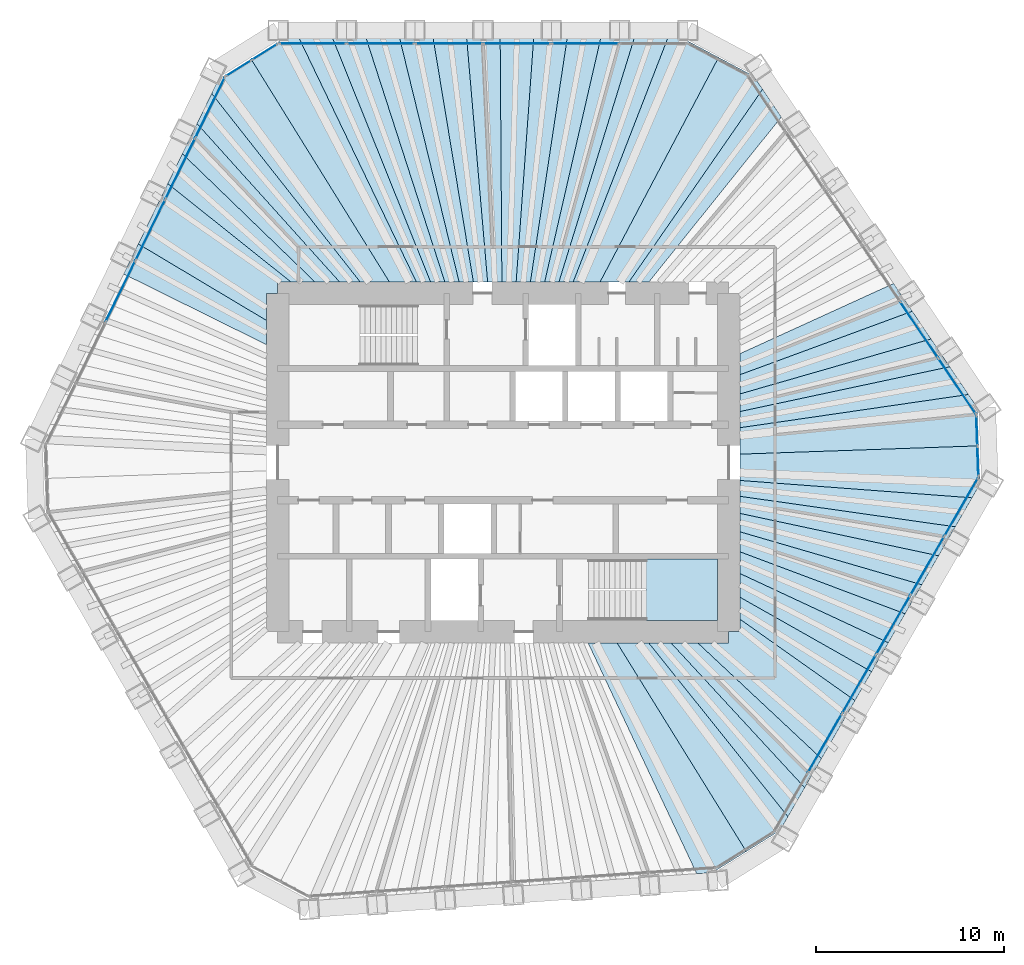
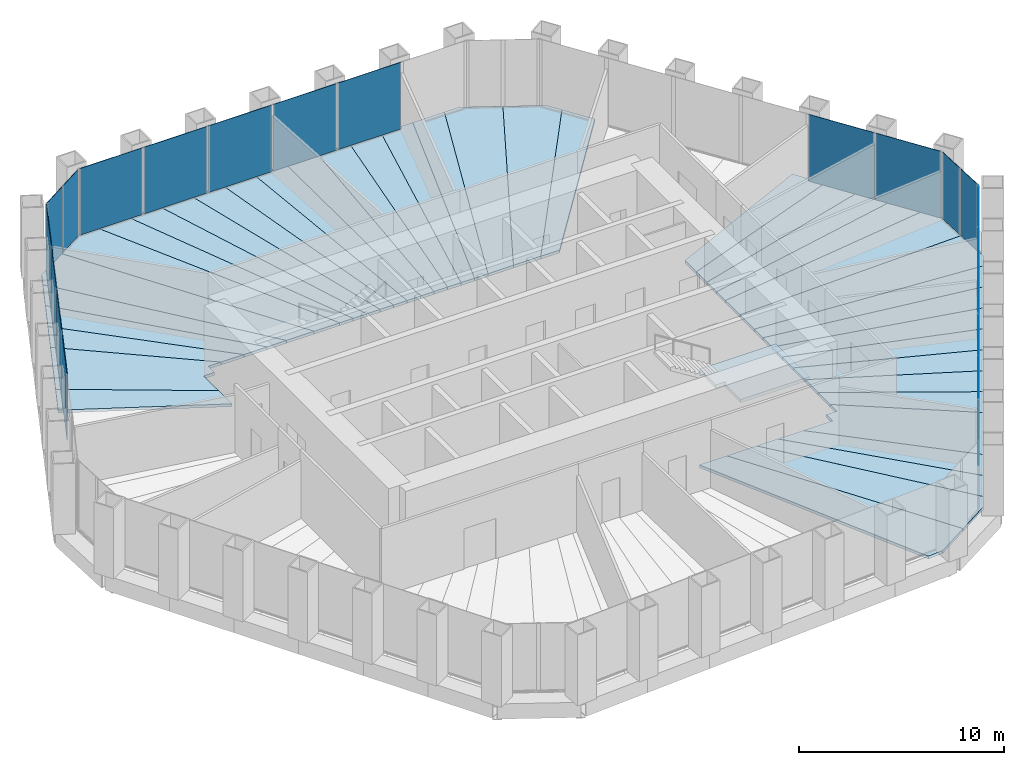
# One storey, part 9 of 13: 40 slabs, 20 plates, 7 elements without a shape of their own.
"""IFC4 building model written with IfcOpenShell, lengths in metres."""

import ifcopenshell
import ifcopenshell.guid

model = None  # the IFC model being written
_history = None  # IfcOwnerHistory: only IFC2X3 demands one
_inside = {}  # id of a spatial element -> (the spatial element, [elements in it])
_under = {}  # id of a project, library or spatial element -> (it, [spatial elements below it])
_declared = {}  # id of a project -> (the project, [libraries it declares])
_typed = {}  # id of a type object -> (the type object, [elements of that type])
_made_of = {}  # id of a material, layer set ... -> (it, [elements and type objects made of it])


def new_model(schema):
    """Start an empty IFC model of exactly this schema.

    Asked for "IFC4X3", IfcOpenShell would pick the latest addendum, in which some entities
    have other attributes; the version numbers below select the first issue.
    IFC2X3 requires an IfcOwnerHistory on every rooted entity: one is made here for all.
    """
    global model, _history
    if schema == "IFC4X3":
        model = ifcopenshell.file(schema_version=(4, 3, 0, 0))
    else:
        model = ifcopenshell.file(schema=schema)
    _inside.clear()
    _under.clear()
    _declared.clear()
    _typed.clear()
    _made_of.clear()
    _history = None
    if model.schema == "IFC2X3":
        org = make("IfcOrganization", Name="unknown")
        user = make(
            "IfcPersonAndOrganization",
            ThePerson=make("IfcPerson", FamilyName="unknown"),
            TheOrganization=org,
        )
        app = make(
            "IfcApplication",
            ApplicationDeveloper=org,
            Version="unknown",
            ApplicationFullName="unknown",
            ApplicationIdentifier="unknown",
        )
        _history = make(
            "IfcOwnerHistory",
            OwningUser=user,
            OwningApplication=app,
            ChangeAction="ADDED",
            CreationDate=0,
        )
    return model


def make(cls, **values):
    """One entity of the class cls with the attributes given. An attribute that is None is left unset."""
    return model.create_entity(
        cls, **{name: value for name, value in values.items() if value is not None}
    )


def rooted(cls, **values):
    """An entity with a GlobalId (a new one), such as an element, a storey or a relation."""
    return make(cls, GlobalId=ifcopenshell.guid.new(), OwnerHistory=_history, **values)


def si_unit(unit_type, name, prefix=None):
    """IfcSIUnit, for example si_unit("LENGTHUNIT", "METRE", prefix="MILLI")."""
    return make("IfcSIUnit", UnitType=unit_type, Prefix=prefix, Name=name)


def assignment(units):
    """IfcUnitAssignment: the units of a project."""
    return None if units is None else make("IfcUnitAssignment", Units=units)


def point(xyz):
    """IfcCartesianPoint."""
    return None if xyz is None else make("IfcCartesianPoint", Coordinates=xyz)


def direction(xyz):
    """IfcDirection."""
    return None if xyz is None else make("IfcDirection", DirectionRatios=xyz)


def frame(location, z_axis=None, x_axis=None):
    """IfcAxis2Placement3D, a coordinate frame: its origin and axes. An axis left out is left unset."""
    return make(
        "IfcAxis2Placement3D",
        Location=point(location),
        Axis=direction(z_axis),
        RefDirection=direction(x_axis),
    )


def frame_2d(location, x_axis=None):
    """IfcAxis2Placement2D, a coordinate frame in the plane: its origin and x axis."""
    return make(
        "IfcAxis2Placement2D", Location=point(location), RefDirection=direction(x_axis)
    )


def origin():
    """The frame at (0, 0, 0) with its axes left unset."""
    return frame((0.0, 0.0, 0.0))


def origin_2d():
    """The frame at (0, 0) in the plane with its x axis left unset."""
    return frame_2d((0.0, 0.0))


def place(relative_to, where):
    """IfcLocalPlacement: puts the frame where relative to a parent placement (None: the world)."""
    return make(
        "IfcLocalPlacement", PlacementRelTo=relative_to, RelativePlacement=where
    )


def context(
    kind, dimensions, precision=None, world=None, true_north=None, identifier=None
):
    """IfcGeometricRepresentationContext, for example the 3D "Model" context."""
    return make(
        "IfcGeometricRepresentationContext",
        ContextIdentifier=identifier,
        ContextType=kind,
        CoordinateSpaceDimension=dimensions,
        Precision=precision,
        WorldCoordinateSystem=world,
        TrueNorth=true_north,
    )


def subcontext(parent, identifier, kind, view, scale=None):
    """IfcGeometricRepresentationSubContext, for example "Body" below "Model"."""
    return make(
        "IfcGeometricRepresentationSubContext",
        ContextIdentifier=identifier,
        ContextType=kind,
        ParentContext=parent,
        TargetScale=scale,
        TargetView=view,
    )


def project(units=None, contexts=None):
    """IfcProject with its units and contexts."""
    return rooted(
        "IfcProject",
        Name="project",
        RepresentationContexts=contexts,
        UnitsInContext=assignment(units),
    )


def spatial(cls, under=None, at=None, **own):
    """A site, building, storey or space (cls), placed at a placement, below another one or the project."""
    s = rooted(cls, ObjectPlacement=at, **own)
    if under is not None:
        _under.setdefault(under.id(), (under, []))[1].append(s)
    return s


def polyline(points):
    """IfcPolyline through the points."""
    return make("IfcPolyline", Points=[point(p) for p in points])


def profile(cls, at=None, kind="AREA", **sizes):
    """A parametric profile (cls). Its sizes go by their IFC names, for example OverallWidth=200.0."""
    return make(cls, ProfileType=kind, Position=at, **sizes)


def rectangle(**sizes):
    """IfcRectangleProfileDef."""
    return profile("IfcRectangleProfileDef", **sizes)


def outline(outer, holes=None, kind="AREA"):
    """IfcArbitraryClosedProfileDef: a profile drawn as a closed curve; with holes, ...WithVoids."""
    if holes is None:
        return make("IfcArbitraryClosedProfileDef", ProfileType=kind, OuterCurve=outer)
    return make(
        "IfcArbitraryProfileDefWithVoids",
        ProfileType=kind,
        OuterCurve=outer,
        InnerCurves=holes,
    )


def extrude(swept, where, along, depth):
    """IfcExtrudedAreaSolid: the profile swept, set in the frame where, extruded along a direction by depth."""
    return make(
        "IfcExtrudedAreaSolid",
        SweptArea=swept,
        Position=where,
        ExtrudedDirection=direction(along),
        Depth=depth,
    )


def shape(context_of_items, identifier, shape_type, items):
    """IfcShapeRepresentation: the items that make up one representation, for example the "Body"."""
    return make(
        "IfcShapeRepresentation",
        ContextOfItems=context_of_items,
        RepresentationIdentifier=identifier,
        RepresentationType=shape_type,
        Items=items,
    )


def material(Name=None, Category=None):
    """IfcMaterial."""
    return make("IfcMaterial", Name=Name, Category=Category)


def layer(
    of_material, thickness, ventilated=None, Name=None, Category=None, Priority=None
):
    """IfcMaterialLayer: one layer of a wall or slab, of a material (None: an air gap)."""
    return make(
        "IfcMaterialLayer",
        Material=of_material,
        LayerThickness=thickness,
        IsVentilated=ventilated,
        Name=Name,
        Category=Category,
        Priority=Priority,
    )


def layer_set(layers, Name=None):
    """IfcMaterialLayerSet."""
    return make("IfcMaterialLayerSet", MaterialLayers=layers, LayerSetName=Name)


def made_of(thing, what):
    """Note that an element or type object is made of a material, layer set ...; save() writes the relation."""
    if what is not None:
        _made_of.setdefault(what.id(), (what, []))[1].append(thing)
    return thing


def type_object(cls, material=None, **own):
    """A type object (cls), such as IfcWallType, which elements share."""
    return made_of(rooted(cls, **own), material)


def element(
    cls,
    number,
    at=None,
    inside=None,
    cuts=None,
    type_object=None,
    material=None,
    context=None,
    identifier="Body",
    shape_type=None,
    held_by="IfcProductDefinitionShape",
    body=None,
    shapes=None,
    **own,
):
    """One element of the class cls, such as IfcWall. Its Tag is "e" and its number.

    at: its placement. inside: the storey or other place that contains it. cuts: it is an
    opening in that element (IfcRelVoidsElement). A single representation is given by context,
    identifier, shape_type and body (its items); several are given by shapes. held_by: the class
    of the entity that holds the representations. save() writes the other relations.
    """
    e = rooted(cls, Tag="e%d" % number, ObjectPlacement=at, **own)
    if body is not None:
        shapes = [shape(context, identifier, shape_type, body)]
    if shapes is not None:
        e.Representation = make(held_by, Representations=shapes)
    if inside is not None:
        _inside.setdefault(inside.id(), (inside, []))[1].append(e)
    if cuts is not None:
        rooted(
            "IfcRelVoidsElement", RelatingBuildingElement=cuts, RelatedOpeningElement=e
        )
    if type_object is not None:
        _typed.setdefault(type_object.id(), (type_object, []))[1].append(e)
    return made_of(e, material)


def aggregate(whole, parts):
    """IfcRelAggregates: a whole, such as a stair, and the parts it consists of."""
    return rooted("IfcRelAggregates", RelatingObject=whole, RelatedObjects=parts)


def save(model, path):
    """Write the relations noted so far, then the file.

    IfcRelAggregates (storeys below a building ...), IfcRelContainedInSpatialStructure (elements
    in a storey), IfcRelDefinesByType, IfcRelAssociatesMaterial and IfcRelDeclares: one each for
    every whole, place, type object, material and project.
    """
    for whole, parts in _under.values():
        aggregate(whole, parts)
    for where, things in _inside.values():
        rooted(
            "IfcRelContainedInSpatialStructure",
            RelatedElements=things,
            RelatingStructure=where,
        )
    for kind, things in _typed.values():
        rooted("IfcRelDefinesByType", RelatedObjects=things, RelatingType=kind)
    for what, things in _made_of.values():
        rooted("IfcRelAssociatesMaterial", RelatedObjects=things, RelatingMaterial=what)
    for by, libraries in _declared.values():
        rooted("IfcRelDeclares", RelatingContext=by, RelatedDefinitions=libraries)
    model.write(path)


model = new_model("IFC4")

# Units and contexts
model_context = context("Model", 3, precision=1e-05, world=origin(), true_north=direction((0.0, 1.0)))
body_context = subcontext(model_context, "Body", "Model", "MODEL_VIEW")
ifc_project = project(units=[si_unit("LENGTHUNIT", "METRE"), si_unit("AREAUNIT", "SQUARE_METRE"), si_unit("VOLUMEUNIT", "CUBIC_METRE"), si_unit("PLANEANGLEUNIT", "RADIAN"), si_unit("MASSUNIT", "GRAM", prefix="KILO")], contexts=[model_context])

# Site, building, storey
site_placement = place(None, origin())
site = spatial("IfcSite", under=ifc_project, at=site_placement, CompositionType="ELEMENT")
building_placement = place(site_placement, origin())
building = spatial("IfcBuilding", under=site, at=building_placement, Name="Qingtian Harvest Tower", CompositionType="ELEMENT")
storey_placement = place(building_placement, frame((0.0, 0.0, 205.60009765625)))
storey = spatial("IfcBuildingStorey", under=building, at=storey_placement, Name="L44", CompositionType="ELEMENT", Elevation=205.60009765625)

# Slabs
ifc_material_1 = material(Name="Concrete fc' 35 MPa", Category="concrete")
ifc_layer_1 = layer(ifc_material_1, 0.169921875)
ifc_layer_set_1 = layer_set([ifc_layer_1], Name="Composite floor slab FS17 170")
slab_type_1 = type_object("IfcSlabType", Name="Composite floor slab FS17 170", PredefinedType="FLOOR", material=ifc_layer_set_1)
slab_1_placement = place(storey_placement, frame((0.0, 0.0, -0.170166015625)))
element("IfcSlab", 1, at=slab_1_placement, inside=storey, type_object=slab_type_1, Name="Floor slab L44 panel D26", PredefinedType="FLOOR", context=body_context, shape_type="SweptSolid", body=[
    extrude(outline(polyline([(4.5185546875, -9.60009765625), (6.059326171875, -9.60009765625), (12.94140625, -20.70703125), (11.142578125, -21.830810546875), (10.30029296875, -21.889892578125), (4.5185546875, -9.60009765625)])), origin(), (0.0, 0.0, 1.0), 0.170166015625),
])
slab_2_placement = place(storey_placement, frame((0.0, 0.0, -0.170166015625)))
element("IfcSlab", 2, at=slab_2_placement, inside=storey, type_object=slab_type_1, Name="Floor slab L44 panel D27", PredefinedType="FLOOR", context=body_context, shape_type="SweptSolid", body=[
    extrude(outline(polyline([(6.059326171875, -9.60009765625), (7.740966796875, -9.60009765625), (15.159423828125, -18.853271484375), (14.73681640625, -19.5849609375), (12.94140625, -20.70703125), (6.059326171875, -9.60009765625)])), origin(), (0.0, 0.0, 1.0), 0.170166015625),
])
slab_3_placement = place(storey_placement, frame((0.0, 0.0, -0.170166015625)))
element("IfcSlab", 3, at=slab_3_placement, inside=storey, type_object=slab_type_1, Name="Floor slab L44 panel D28", PredefinedType="FLOOR", context=body_context, shape_type="SweptSolid", body=[
    extrude(outline(polyline([(8.929443359375, -9.60009765625), (16.05029296875, -17.31005859375), (15.159423828125, -18.853271484375), (7.740966796875, -9.60009765625), (8.929443359375, -9.60009765625)])), origin(), (0.0, 0.0, 1.0), 0.170166015625),
])
slab_4_placement = place(storey_placement, frame((0.0, 0.0, -0.170166015625)))
element("IfcSlab", 4, at=slab_4_placement, inside=storey, type_object=slab_type_1, Name="Floor slab L44 panel D29", PredefinedType="FLOOR", context=body_context, shape_type="SweptSolid", body=[
    extrude(outline(polyline([(10.35205078125, -9.60009765625), (16.94140625, -15.766845703125), (16.05029296875, -17.31005859375), (8.929443359375, -9.60009765625), (10.35205078125, -9.60009765625)])), origin(), (0.0, 0.0, 1.0), 0.170166015625),
])
slab_5_placement = place(storey_placement, frame((0.0, 0.0, -0.170166015625)))
element("IfcSlab", 5, at=slab_5_placement, inside=storey, type_object=slab_type_1, Name="Floor slab L44 panel D31", PredefinedType="FLOOR", context=body_context, shape_type="SweptSolid", body=[
    extrude(outline(polyline([(12.60009765625, -8.33984375), (18.726806640625, -12.674072265625), (16.94140625, -15.766845703125), (10.35205078125, -9.60009765625), (12.0, -9.60009765625), (12.0, -9.0), (12.60009765625, -9.0), (12.60009765625, -8.33984375)])), origin(), (0.0, 0.0, 1.0), 0.170166015625),
])
slab_6_placement = place(storey_placement, frame((0.0, 0.0, -0.170166015625)))
element("IfcSlab", 6, at=slab_6_placement, inside=storey, type_object=slab_type_1, Name="Floor slab L44 panel D32", PredefinedType="FLOOR", context=body_context, shape_type="SweptSolid", body=[
    extrude(outline(polyline([(12.60009765625, -7.171142578125), (19.61279296875, -11.1396484375), (18.726806640625, -12.674072265625), (12.60009765625, -8.33984375), (12.60009765625, -7.171142578125)])), origin(), (0.0, 0.0, 1.0), 0.170166015625),
])
slab_7_placement = place(storey_placement, frame((0.0, 0.0, -0.170166015625)))
element("IfcSlab", 7, at=slab_7_placement, inside=storey, type_object=slab_type_1, Name="Floor slab L44 panel D33", PredefinedType="FLOOR", context=body_context, shape_type="SweptSolid", body=[
    extrude(outline(polyline([(12.60009765625, -5.91015625), (20.503662109375, -9.5966796875), (19.61279296875, -11.1396484375), (12.60009765625, -7.171142578125), (12.60009765625, -5.91015625)])), origin(), (0.0, 0.0, 1.0), 0.170166015625),
])
slab_8_placement = place(storey_placement, frame((0.0, 0.0, -0.170166015625)))
element("IfcSlab", 8, at=slab_8_placement, inside=storey, type_object=slab_type_1, Name="Floor slab L44 panel D34", PredefinedType="FLOOR", context=body_context, shape_type="SweptSolid", body=[
    extrude(outline(polyline([(12.60009765625, -4.75439453125), (21.39453125, -8.0537109375), (20.503662109375, -9.5966796875), (12.60009765625, -5.91015625), (12.60009765625, -4.75439453125)])), origin(), (0.0, 0.0, 1.0), 0.170166015625),
])
slab_9_placement = place(storey_placement, frame((0.0, 0.0, -0.170166015625)))
element("IfcSlab", 9, at=slab_9_placement, inside=storey, type_object=slab_type_1, Name="Floor slab L44 panel D35", PredefinedType="FLOOR", context=body_context, shape_type="SweptSolid", body=[
    extrude(outline(polyline([(12.60009765625, -3.691162109375), (22.285400390625, -6.5107421875), (21.39453125, -8.0537109375), (12.60009765625, -4.75439453125), (12.60009765625, -3.691162109375)])), origin(), (0.0, 0.0, 1.0), 0.170166015625),
])
slab_10_placement = place(storey_placement, frame((0.0, 0.0, -0.170166015625)))
element("IfcSlab", 10, at=slab_10_placement, inside=storey, type_object=slab_type_1, Name="Floor slab L44 panel D36", PredefinedType="FLOOR", context=body_context, shape_type="SweptSolid", body=[
    extrude(outline(polyline([(12.60009765625, -2.709716796875), (23.17626953125, -4.9677734375), (22.285400390625, -6.5107421875), (12.60009765625, -3.691162109375), (12.60009765625, -2.709716796875)])), origin(), (0.0, 0.0, 1.0), 0.170166015625),
])
slab_11_placement = place(storey_placement, frame((0.0, 0.0, -0.170166015625)))
element("IfcSlab", 11, at=slab_11_placement, inside=storey, type_object=slab_type_1, Name="Floor slab L44 panel D37", PredefinedType="FLOOR", context=body_context, shape_type="SweptSolid", body=[
    extrude(outline(polyline([(12.60009765625, -1.801025390625), (24.06689453125, -3.4248046875), (23.17626953125, -4.9677734375), (12.60009765625, -2.709716796875), (12.60009765625, -1.801025390625)])), origin(), (0.0, 0.0, 1.0), 0.170166015625),
])
slab_12_placement = place(storey_placement, frame((0.0, 0.0, -0.170166015625)))
element("IfcSlab", 12, at=slab_12_placement, inside=storey, type_object=slab_type_1, Name="Floor slab L44 panel D38", PredefinedType="FLOOR", context=body_context, shape_type="SweptSolid", body=[
    extrude(outline(polyline([(12.60009765625, -0.95703125), (24.957763671875, -1.8818359375), (24.06689453125, -3.4248046875), (12.60009765625, -1.801025390625), (12.60009765625, -0.95703125)])), origin(), (0.0, 0.0, 1.0), 0.170166015625),
])
slab_13_placement = place(storey_placement, frame((0.0, 0.0, -0.170166015625)))
element("IfcSlab", 13, at=slab_13_placement, inside=storey, type_object=slab_type_1, Name="Floor slab L44 panel D39", PredefinedType="FLOOR", context=body_context, shape_type="SweptSolid", body=[
    extrude(outline(polyline([(12.60009765625, -0.95703125), (12.60009765625, 0.442626953125), (25.30908203125, 0.884033203125), (25.380126953125, -1.150146484375), (24.957763671875, -1.8818359375), (12.60009765625, -0.95703125)])), origin(), (0.0, 0.0, 1.0), 0.170166015625),
])
slab_14_placement = place(storey_placement, frame((0.0, 0.0, -0.170166015625)))
element("IfcSlab", 14, at=slab_14_placement, inside=storey, type_object=slab_type_1, Name="Floor slab L44 panel D40", PredefinedType="FLOOR", context=body_context, shape_type="SweptSolid", body=[
    extrude(outline(polyline([(12.60009765625, 0.442626953125), (12.60009765625, 1.848876953125), (24.765625, 3.6181640625), (25.238037109375, 2.91796875), (25.30908203125, 0.884033203125), (12.60009765625, 0.442626953125)])), origin(), (0.0, 0.0, 1.0), 0.170166015625),
])
slab_15_placement = place(storey_placement, frame((0.0, 0.0, -0.170166015625)))
element("IfcSlab", 15, at=slab_15_placement, inside=storey, type_object=slab_type_1, Name="Floor slab L44 panel D41", PredefinedType="FLOOR", context=body_context, shape_type="SweptSolid", body=[
    extrude(outline(polyline([(12.60009765625, 2.710205078125), (23.76953125, 5.09521484375), (24.765625, 3.6181640625), (12.60009765625, 1.848876953125), (12.60009765625, 2.710205078125)])), origin(), (0.0, 0.0, 1.0), 0.170166015625),
])
slab_16_placement = place(storey_placement, frame((0.0, 0.0, -0.170166015625)))
element("IfcSlab", 16, at=slab_16_placement, inside=storey, type_object=slab_type_1, Name="Floor slab L44 panel D42", PredefinedType="FLOOR", context=body_context, shape_type="SweptSolid", body=[
    extrude(outline(polyline([(12.60009765625, 3.646728515625), (22.773193359375, 6.572265625), (23.76953125, 5.09521484375), (12.60009765625, 2.710205078125), (12.60009765625, 3.646728515625)])), origin(), (0.0, 0.0, 1.0), 0.170166015625),
])
slab_17_placement = place(storey_placement, frame((0.0, 0.0, -0.170166015625)))
element("IfcSlab", 17, at=slab_17_placement, inside=storey, type_object=slab_type_1, Name="Floor slab L44 panel D43", PredefinedType="FLOOR", context=body_context, shape_type="SweptSolid", body=[
    extrude(outline(polyline([(12.60009765625, 4.669189453125), (21.77685546875, 8.049560546875), (22.773193359375, 6.572265625), (12.60009765625, 3.646728515625), (12.60009765625, 4.669189453125)])), origin(), (0.0, 0.0, 1.0), 0.170166015625),
])
slab_18_placement = place(storey_placement, frame((0.0, 0.0, -0.170166015625)))
element("IfcSlab", 18, at=slab_18_placement, inside=storey, type_object=slab_type_1, Name="Floor slab L44 panel D44", PredefinedType="FLOOR", context=body_context, shape_type="SweptSolid", body=[
    extrude(outline(polyline([(12.60009765625, 5.7900390625), (20.780517578125, 9.526611328125), (21.77685546875, 8.049560546875), (12.60009765625, 4.669189453125), (12.60009765625, 5.7900390625)])), origin(), (0.0, 0.0, 1.0), 0.170166015625),
])
slab_19_placement = place(storey_placement, frame((0.0, 0.0, -0.170166015625)))
element("IfcSlab", 19, at=slab_19_placement, inside=storey, type_object=slab_type_1, Name="Floor slab L44 panel D51", PredefinedType="FLOOR", context=body_context, shape_type="SweptSolid", body=[
    extrude(outline(polyline([(6.6904296875, 9.60009765625), (13.807373046875, 19.86474609375), (14.8037109375, 18.3876953125), (7.751220703125, 9.60009765625), (6.6904296875, 9.60009765625)])), origin(), (0.0, 0.0, 1.0), 0.170166015625),
])
slab_20_placement = place(storey_placement, frame((0.0, 0.0, -0.170166015625)))
element("IfcSlab", 20, at=slab_20_placement, inside=storey, type_object=slab_type_1, Name="Floor slab L44 panel D52", PredefinedType="FLOOR", context=body_context, shape_type="SweptSolid", body=[
    extrude(outline(polyline([(6.6904296875, 9.60009765625), (5.15185546875, 9.60009765625), (11.465087890625, 21.559326171875), (13.334716796875, 20.5654296875), (13.807373046875, 19.86474609375), (6.6904296875, 9.60009765625)])), origin(), (0.0, 0.0, 1.0), 0.170166015625),
])
slab_21_placement = place(storey_placement, frame((0.0, 0.0, -0.170166015625)))
element("IfcSlab", 21, at=slab_21_placement, inside=storey, type_object=slab_type_1, Name="Floor slab L44 panel D53", PredefinedType="FLOOR", context=body_context, shape_type="SweptSolid", body=[
    extrude(outline(polyline([(3.7236328125, 9.60009765625), (8.748291015625, 22.554931640625), (9.5927734375, 22.554931640625), (11.465087890625, 21.559326171875), (5.15185546875, 9.60009765625), (3.7236328125, 9.60009765625)])), origin(), (0.0, 0.0, 1.0), 0.170166015625),
])
slab_22_placement = place(storey_placement, frame((0.0, 0.0, -0.170166015625)))
element("IfcSlab", 22, at=slab_22_placement, inside=storey, type_object=slab_type_1, Name="Floor slab L44 panel D54", PredefinedType="FLOOR", context=body_context, shape_type="SweptSolid", body=[
    extrude(outline(polyline([(2.96533203125, 9.60009765625), (6.966796875, 22.554931640625), (8.748291015625, 22.554931640625), (3.7236328125, 9.60009765625), (2.96533203125, 9.60009765625)])), origin(), (0.0, 0.0, 1.0), 0.170166015625),
])
slab_23_placement = place(storey_placement, frame((0.0, 0.0, -0.170166015625)))
element("IfcSlab", 23, at=slab_23_placement, inside=storey, type_object=slab_type_1, Name="Floor slab L44 panel D55", PredefinedType="FLOOR", context=body_context, shape_type="SweptSolid", body=[
    extrude(outline(polyline([(2.206787109375, 9.60009765625), (5.18505859375, 22.554931640625), (6.966796875, 22.554931640625), (2.96533203125, 9.60009765625), (2.206787109375, 9.60009765625)])), origin(), (0.0, 0.0, 1.0), 0.170166015625),
])
slab_24_placement = place(storey_placement, frame((0.0, 0.0, -0.170166015625)))
element("IfcSlab", 24, at=slab_24_placement, inside=storey, type_object=slab_type_1, Name="Floor slab L44 panel D56", PredefinedType="FLOOR", context=body_context, shape_type="SweptSolid", body=[
    extrude(outline(polyline([(1.448486328125, 9.60009765625), (3.403564453125, 22.554931640625), (5.18505859375, 22.554931640625), (2.206787109375, 9.60009765625), (1.448486328125, 9.60009765625)])), origin(), (0.0, 0.0, 1.0), 0.170166015625),
])
slab_25_placement = place(storey_placement, frame((0.0, 0.0, -0.170166015625)))
element("IfcSlab", 25, at=slab_25_placement, inside=storey, type_object=slab_type_1, Name="Floor slab L44 panel D57", PredefinedType="FLOOR", context=body_context, shape_type="SweptSolid", body=[
    extrude(outline(polyline([(0.690185546875, 9.60009765625), (1.621826171875, 22.554931640625), (3.403564453125, 22.554931640625), (1.448486328125, 9.60009765625), (0.690185546875, 9.60009765625)])), origin(), (0.0, 0.0, 1.0), 0.170166015625),
])
slab_26_placement = place(storey_placement, frame((0.0, 0.0, -0.170166015625)))
element("IfcSlab", 26, at=slab_26_placement, inside=storey, type_object=slab_type_1, Name="Floor slab L44 panel D58", PredefinedType="FLOOR", context=body_context, shape_type="SweptSolid", body=[
    extrude(outline(polyline([(-0.068115234375, 9.60009765625), (-0.159912109375, 22.554931640625), (1.621826171875, 22.554931640625), (0.690185546875, 9.60009765625), (-0.068115234375, 9.60009765625)])), origin(), (0.0, 0.0, 1.0), 0.170166015625),
])
slab_27_placement = place(storey_placement, frame((0.0, 0.0, -0.170166015625)))
element("IfcSlab", 27, at=slab_27_placement, inside=storey, type_object=slab_type_1, Name="Floor slab L44 panel D59", PredefinedType="FLOOR", context=body_context, shape_type="SweptSolid", body=[
    extrude(outline(polyline([(-0.826416015625, 9.60009765625), (-1.94140625, 22.554931640625), (-0.159912109375, 22.554931640625), (-0.068115234375, 9.60009765625), (-0.826416015625, 9.60009765625)])), origin(), (0.0, 0.0, 1.0), 0.170166015625),
])
slab_28_placement = place(storey_placement, frame((0.0, 0.0, -0.170166015625)))
element("IfcSlab", 28, at=slab_28_placement, inside=storey, type_object=slab_type_1, Name="Floor slab L44 panel D60", PredefinedType="FLOOR", context=body_context, shape_type="SweptSolid", body=[
    extrude(outline(polyline([(-1.584716796875, 9.60009765625), (-3.72314453125, 22.554931640625), (-1.94140625, 22.554931640625), (-0.826416015625, 9.60009765625), (-1.584716796875, 9.60009765625)])), origin(), (0.0, 0.0, 1.0), 0.170166015625),
])
slab_29_placement = place(storey_placement, frame((0.0, 0.0, -0.170166015625)))
element("IfcSlab", 29, at=slab_29_placement, inside=storey, type_object=slab_type_1, Name="Floor slab L44 panel D61", PredefinedType="FLOOR", context=body_context, shape_type="SweptSolid", body=[
    extrude(outline(polyline([(-2.343017578125, 9.60009765625), (-5.504638671875, 22.554931640625), (-3.72314453125, 22.554931640625), (-1.584716796875, 9.60009765625), (-2.343017578125, 9.60009765625)])), origin(), (0.0, 0.0, 1.0), 0.170166015625),
])
slab_30_placement = place(storey_placement, frame((0.0, 0.0, -0.170166015625)))
element("IfcSlab", 30, at=slab_30_placement, inside=storey, type_object=slab_type_1, Name="Floor slab L44 panel D62", PredefinedType="FLOOR", context=body_context, shape_type="SweptSolid", body=[
    extrude(outline(polyline([(-3.101318359375, 9.60009765625), (-7.286376953125, 22.554931640625), (-5.504638671875, 22.554931640625), (-2.343017578125, 9.60009765625), (-3.101318359375, 9.60009765625)])), origin(), (0.0, 0.0, 1.0), 0.170166015625),
])
slab_31_placement = place(storey_placement, frame((0.0, 0.0, -0.170166015625)))
element("IfcSlab", 31, at=slab_31_placement, inside=storey, type_object=slab_type_1, Name="Floor slab L44 panel D63", PredefinedType="FLOOR", context=body_context, shape_type="SweptSolid", body=[
    extrude(outline(polyline([(-3.859619140625, 9.60009765625), (-9.06787109375, 22.554931640625), (-7.286376953125, 22.554931640625), (-3.101318359375, 9.60009765625), (-3.859619140625, 9.60009765625)])), origin(), (0.0, 0.0, 1.0), 0.170166015625),
])
slab_32_placement = place(storey_placement, frame((0.0, 0.0, -0.170166015625)))
element("IfcSlab", 32, at=slab_32_placement, inside=storey, type_object=slab_type_1, Name="Floor slab L44 panel D64", PredefinedType="FLOOR", context=body_context, shape_type="SweptSolid", body=[
    extrude(outline(polyline([(-4.617919921875, 9.60009765625), (-10.849609375, 22.554931640625), (-9.06787109375, 22.554931640625), (-3.859619140625, 9.60009765625), (-4.617919921875, 9.60009765625)])), origin(), (0.0, 0.0, 1.0), 0.170166015625),
])
slab_33_placement = place(storey_placement, frame((0.0, 0.0, -0.170166015625)))
element("IfcSlab", 33, at=slab_33_placement, inside=storey, type_object=slab_type_1, Name="Floor slab L44 panel D65", PredefinedType="FLOOR", context=body_context, shape_type="SweptSolid", body=[
    extrude(outline(polyline([(-4.617919921875, 9.60009765625), (-6.050537109375, 9.60009765625), (-13.42138671875, 21.4755859375), (-11.69384765625, 22.554931640625), (-10.849609375, 22.554931640625), (-4.617919921875, 9.60009765625)])), origin(), (0.0, 0.0, 1.0), 0.170166015625),
])
slab_34_placement = place(storey_placement, frame((0.0, 0.0, -0.170166015625)))
element("IfcSlab", 34, at=slab_34_placement, inside=storey, type_object=slab_type_1, Name="Floor slab L44 panel D66", PredefinedType="FLOOR", context=body_context, shape_type="SweptSolid", body=[
    extrude(outline(polyline([(-6.050537109375, 9.60009765625), (-7.60498046875, 9.60009765625), (-15.516357421875, 19.638427734375), (-15.14599609375, 20.39794921875), (-13.42138671875, 21.4755859375), (-6.050537109375, 9.60009765625)])), origin(), (0.0, 0.0, 1.0), 0.170166015625),
])
slab_35_placement = place(storey_placement, frame((0.0, 0.0, -0.170166015625)))
element("IfcSlab", 35, at=slab_35_placement, inside=storey, type_object=slab_type_1, Name="Floor slab L44 panel D67", PredefinedType="FLOOR", context=body_context, shape_type="SweptSolid", body=[
    extrude(outline(polyline([(-8.699951171875, 9.60009765625), (-16.297607421875, 18.036865234375), (-15.516357421875, 19.638427734375), (-7.60498046875, 9.60009765625), (-8.699951171875, 9.60009765625)])), origin(), (0.0, 0.0, 1.0), 0.170166015625),
])
slab_36_placement = place(storey_placement, frame((0.0, 0.0, -0.170166015625)))
element("IfcSlab", 36, at=slab_36_placement, inside=storey, type_object=slab_type_1, Name="Floor slab L44 panel D68", PredefinedType="FLOOR", context=body_context, shape_type="SweptSolid", body=[
    extrude(outline(polyline([(-10.009765625, 9.60009765625), (-17.07861328125, 16.435302734375), (-16.297607421875, 18.036865234375), (-8.699951171875, 9.60009765625), (-10.009765625, 9.60009765625)])), origin(), (0.0, 0.0, 1.0), 0.170166015625),
])
slab_37_placement = place(storey_placement, frame((0.0, 0.0, -0.170166015625)))
element("IfcSlab", 37, at=slab_37_placement, inside=storey, type_object=slab_type_1, Name="Floor slab L44 panel D69", PredefinedType="FLOOR", context=body_context, shape_type="SweptSolid", body=[
    extrude(outline(polyline([(-11.28759765625, 9.60009765625), (-17.855224609375, 14.84326171875), (-17.07861328125, 16.435302734375), (-10.009765625, 9.60009765625), (-11.28759765625, 9.60009765625)])), origin(), (0.0, 0.0, 1.0), 0.170166015625),
])
slab_38_placement = place(storey_placement, frame((0.0, 0.0, -0.170166015625)))
element("IfcSlab", 38, at=slab_38_placement, inside=storey, type_object=slab_type_1, Name="Floor slab L44 panel D70", PredefinedType="FLOOR", context=body_context, shape_type="SweptSolid", body=[
    extrude(outline(polyline([(-12.0, 9.0), (-12.60009765625, 9.0), (-12.60009765625, 7.560302734375), (-19.4208984375, 11.633056640625), (-17.855224609375, 14.84326171875), (-11.28759765625, 9.60009765625), (-12.0, 9.60009765625), (-12.0, 9.0)])), origin(), (0.0, 0.0, 1.0), 0.170166015625),
])
slab_39_placement = place(storey_placement, frame((0.0, 0.0, -0.170166015625)))
element("IfcSlab", 39, at=slab_39_placement, inside=storey, type_object=slab_type_1, Name="Floor slab L44 panel D72", PredefinedType="FLOOR", context=body_context, shape_type="SweptSolid", body=[
    extrude(outline(polyline([(-12.60009765625, 6.268310546875), (-20.201904296875, 10.031494140625), (-19.4208984375, 11.633056640625), (-12.60009765625, 7.560302734375), (-12.60009765625, 6.268310546875)])), origin(), (0.0, 0.0, 1.0), 0.170166015625),
])

# Curtain wall, plates
ifc_material_2 = material(Name="Bronze-anodised aluminium curtain wall", Category="aluminium")
curtain_wall_type = type_object("IfcCurtainWallType", Name="Curtain wall CW4 office", PredefinedType="USERDEFINED", material=ifc_material_2)
curtain_wall_1_placement = place(storey_placement, origin())
curtain_wall_1 = element("IfcCurtainWall", 40, at=curtain_wall_1_placement, inside=storey, type_object=curtain_wall_type, Name="Curtain wall CW4 L44 N0-5", ObjectType="RECESSED CURTAIN WALL", PredefinedType="USERDEFINED")
ifc_material_3 = material(Name="Bronze-tinted laminated insulating glass", Category="glass")
ifc_layer_2 = layer(ifc_material_3, 0.030029296875)
ifc_layer_set_2 = layer_set([ifc_layer_2], Name="Glazed panel CWP tinted IGU")
plate_type = type_object("IfcPlateType", Name="Glazed panel CWP tinted IGU", PredefinedType="CURTAIN_PANEL", material=ifc_layer_set_2)
plate_1_placement = place(storey_placement, frame((-10.138916015625, 22.300048828125, 0.06494140625), z_axis=(0.0, 0.0, 1.0), x_axis=(1.0, 0.0, 0.0)))
plate_1 = element("IfcPlate", 41, at=plate_1_placement, type_object=plate_type, Name="CW4 panel 1.1", PredefinedType="CURTAIN_PANEL", context=body_context, shape_type="SweptSolid", body=[
    extrude(rectangle(XDim=3.5361328125, YDim=0.030029296875, at=origin_2d()), origin(), (0.0, 0.0, 1.0), 3.965087890625),
])
plate_2_placement = place(storey_placement, frame((-6.521728515625, 22.300048828125, 0.06494140625), z_axis=(0.0, 0.0, 1.0), x_axis=(1.0, 0.0, 0.0)))
plate_2 = element("IfcPlate", 42, at=plate_2_placement, type_object=plate_type, Name="CW4 panel 2.1", PredefinedType="CURTAIN_PANEL", context=body_context, shape_type="SweptSolid", body=[
    extrude(rectangle(XDim=3.568603515625, YDim=0.030029296875, at=origin_2d()), origin(), (0.0, 0.0, 1.0), 3.965087890625),
])
plate_3_placement = place(storey_placement, frame((-2.88818359375, 22.300048828125, 0.06494140625), z_axis=(0.0, 0.0, 1.0), x_axis=(1.0, 0.0, 0.0)))
plate_3 = element("IfcPlate", 43, at=plate_3_placement, type_object=plate_type, Name="CW4 panel 3.1", PredefinedType="CURTAIN_PANEL", context=body_context, shape_type="SweptSolid", body=[
    extrude(rectangle(XDim=3.568603515625, YDim=0.030029296875, at=origin_2d()), origin(), (0.0, 0.0, 1.0), 3.965087890625),
])
plate_4_placement = place(storey_placement, frame((0.745361328125, 22.300048828125, 0.06494140625), z_axis=(0.0, 0.0, 1.0), x_axis=(1.0, 0.0, 0.0)))
plate_4 = element("IfcPlate", 44, at=plate_4_placement, type_object=plate_type, Name="CW4 panel 4.1", PredefinedType="CURTAIN_PANEL", context=body_context, shape_type="SweptSolid", body=[
    extrude(rectangle(XDim=3.568603515625, YDim=0.030029296875, at=origin_2d()), origin(), (0.0, 0.0, 1.0), 3.965087890625),
])
plate_5_placement = place(storey_placement, frame((4.37890625, 22.300048828125, 0.06494140625), z_axis=(0.0, 0.0, 1.0), x_axis=(1.0, 0.0, 0.0)))
plate_5 = element("IfcPlate", 45, at=plate_5_placement, type_object=plate_type, Name="CW4 panel 5.1", PredefinedType="CURTAIN_PANEL", context=body_context, shape_type="SweptSolid", body=[
    extrude(rectangle(XDim=3.568603515625, YDim=0.030029296875, at=origin_2d()), origin(), (0.0, 0.0, 1.0), 3.965087890625),
])
aggregate(curtain_wall_1, [plate_1, plate_2, plate_3, plate_4, plate_5])

curtain_wall_2_placement = place(storey_placement, origin())
curtain_wall_2 = element("IfcCurtainWall", 46, at=curtain_wall_2_placement, inside=storey, type_object=curtain_wall_type, Name="Curtain wall CW4 L44 NE0-5", ObjectType="RECESSED CURTAIN WALL", PredefinedType="USERDEFINED")
plate_6_placement = place(storey_placement, frame((22.134521484375, 7.063232421875, 0.06494140625), z_axis=(0.0, 0.0, 1.0), x_axis=(0.559192903471, -0.829037572555, 0.0)))
plate_6 = element("IfcPlate", 47, at=plate_6_placement, type_object=plate_type, Name="CW4 panel 5.1", PredefinedType="CURTAIN_PANEL", context=body_context, shape_type="SweptSolid", body=[
    extrude(rectangle(XDim=3.568603515625, YDim=0.030029296875, at=origin_2d()), origin(), (0.0, 0.0, 1.0), 3.965087890625),
])
plate_7_placement = place(storey_placement, frame((24.1572265625, 4.064453125, 0.06494140625), z_axis=(0.0, 0.0, 1.0), x_axis=(0.559192903471, -0.829037572555, 0.0)))
plate_7 = element("IfcPlate", 48, at=plate_7_placement, type_object=plate_type, Name="CW4 panel 6.1", PredefinedType="CURTAIN_PANEL", context=body_context, shape_type="SweptSolid", body=[
    extrude(rectangle(XDim=3.5361328125, YDim=0.030029296875, at=origin_2d()), origin(), (0.0, 0.0, 1.0), 3.965087890625),
])
aggregate(curtain_wall_2, [plate_6, plate_7])

curtain_wall_3_placement = place(storey_placement, origin())
curtain_wall_3 = element("IfcCurtainWall", 49, at=curtain_wall_3_placement, inside=storey, type_object=curtain_wall_type, Name="Curtain wall CW4 L44 NEC", ObjectType="RECESSED CURTAIN WALL", PredefinedType="USERDEFINED")
plate_8_placement = place(storey_placement, frame((25.2119140625, 1.69677734375, 0.06494140625), z_axis=(0.0, 0.0, 1.0), x_axis=(0.034899496703, -0.999390827019, 0.0)))
plate_8 = element("IfcPlate", 50, at=plate_8_placement, type_object=plate_type, Name="CW4 panel 1.1", PredefinedType="CURTAIN_PANEL", context=body_context, shape_type="SweptSolid", body=[
    extrude(rectangle(XDim=1.56689453125, YDim=0.030029296875, at=origin_2d()), origin(), (0.0, 0.0, 1.0), 3.965087890625),
])
plate_9_placement = place(storey_placement, frame((25.268798828125, 0.06591796875, 0.06494140625), z_axis=(0.0, 0.0, 1.0), x_axis=(0.034899496703, -0.999390827019, 0.0)))
plate_9 = element("IfcPlate", 51, at=plate_9_placement, type_object=plate_type, Name="CW4 panel 2.1", PredefinedType="CURTAIN_PANEL", context=body_context, shape_type="SweptSolid", body=[
    extrude(rectangle(XDim=1.56689453125, YDim=0.030029296875, at=origin_2d()), origin(), (0.0, 0.0, 1.0), 3.965087890625),
])
aggregate(curtain_wall_3, [plate_8, plate_9])

curtain_wall_4_placement = place(storey_placement, origin())
curtain_wall_4 = element("IfcCurtainWall", 52, at=curtain_wall_4_placement, inside=storey, type_object=curtain_wall_type, Name="Curtain wall CW4 L44 SE0-5", ObjectType="RECESSED CURTAIN WALL", PredefinedType="USERDEFINED")
plate_10_placement = place(storey_placement, frame((24.3818359375, -2.369384765625, 0.06494140625), z_axis=(0.0, 0.0, 1.0), x_axis=(-0.5, -0.866025403784, 0.0)))
plate_10 = element("IfcPlate", 53, at=plate_10_placement, type_object=plate_type, Name="CW4 panel 1.1", PredefinedType="CURTAIN_PANEL", context=body_context, shape_type="SweptSolid", body=[
    extrude(rectangle(XDim=3.5361328125, YDim=0.030029296875, at=origin_2d()), origin(), (0.0, 0.0, 1.0), 3.965087890625),
])
plate_11_placement = place(storey_placement, frame((22.5732421875, -5.501953125, 0.06494140625), z_axis=(0.0, 0.0, 1.0), x_axis=(-0.5, -0.866025403784, 0.0)))
plate_11 = element("IfcPlate", 54, at=plate_11_placement, type_object=plate_type, Name="CW4 panel 2.1", PredefinedType="CURTAIN_PANEL", context=body_context, shape_type="SweptSolid", body=[
    extrude(rectangle(XDim=3.568603515625, YDim=0.030029296875, at=origin_2d()), origin(), (0.0, 0.0, 1.0), 3.965087890625),
])
plate_12_placement = place(storey_placement, frame((20.75634765625, -8.64892578125, 0.06494140625), z_axis=(0.0, 0.0, 1.0), x_axis=(-0.5, -0.866025403784, 0.0)))
plate_12 = element("IfcPlate", 55, at=plate_12_placement, type_object=plate_type, Name="CW4 panel 3.1", PredefinedType="CURTAIN_PANEL", context=body_context, shape_type="SweptSolid", body=[
    extrude(rectangle(XDim=3.568603515625, YDim=0.030029296875, at=origin_2d()), origin(), (0.0, 0.0, 1.0), 3.965087890625),
])
plate_13_placement = place(storey_placement, frame((18.939697265625, -11.795654296875, 0.06494140625), z_axis=(0.0, 0.0, 1.0), x_axis=(-0.5, -0.866025403784, 0.0)))
plate_13 = element("IfcPlate", 56, at=plate_13_placement, type_object=plate_type, Name="CW4 panel 4.1", PredefinedType="CURTAIN_PANEL", context=body_context, shape_type="SweptSolid", body=[
    extrude(rectangle(XDim=3.568603515625, YDim=0.030029296875, at=origin_2d()), origin(), (0.0, 0.0, 1.0), 3.965087890625),
])
plate_14_placement = place(storey_placement, frame((17.122802734375, -14.9423828125, 0.06494140625), z_axis=(0.0, 0.0, 1.0), x_axis=(-0.5, -0.866025403784, 0.0)))
plate_14 = element("IfcPlate", 57, at=plate_14_placement, type_object=plate_type, Name="CW4 panel 5.1", PredefinedType="CURTAIN_PANEL", context=body_context, shape_type="SweptSolid", body=[
    extrude(rectangle(XDim=3.568603515625, YDim=0.030029296875, at=origin_2d()), origin(), (0.0, 0.0, 1.0), 3.965087890625),
])
aggregate(curtain_wall_4, [plate_10, plate_11, plate_12, plate_13, plate_14])

curtain_wall_5_placement = place(storey_placement, origin())
curtain_wall_5 = element("IfcCurtainWall", 58, at=curtain_wall_5_placement, inside=storey, type_object=curtain_wall_type, Name="Curtain wall CW4 L44 NW0-5", ObjectType="RECESSED CURTAIN WALL", PredefinedType="USERDEFINED")
plate_15_placement = place(storey_placement, frame((-20.369873046875, 9.105712890625, 0.06494140625), z_axis=(0.0, 0.0, 1.0), x_axis=(0.438371146789, 0.898794046299, 0.0)))
plate_15 = element("IfcPlate", 59, at=plate_15_placement, type_object=plate_type, Name="CW4 panel 3.1", PredefinedType="CURTAIN_PANEL", context=body_context, shape_type="SweptSolid", body=[
    extrude(rectangle(XDim=3.568603515625, YDim=0.030029296875, at=origin_2d()), origin(), (0.0, 0.0, 1.0), 3.965087890625),
])
plate_16_placement = place(storey_placement, frame((-18.777099609375, 12.37158203125, 0.06494140625), z_axis=(0.0, 0.0, 1.0), x_axis=(0.438371146789, 0.898794046299, 0.0)))
plate_16 = element("IfcPlate", 60, at=plate_16_placement, type_object=plate_type, Name="CW4 panel 4.1", PredefinedType="CURTAIN_PANEL", context=body_context, shape_type="SweptSolid", body=[
    extrude(rectangle(XDim=3.568603515625, YDim=0.030029296875, at=origin_2d()), origin(), (0.0, 0.0, 1.0), 3.965087890625),
])
plate_17_placement = place(storey_placement, frame((-17.18408203125, 15.63720703125, 0.06494140625), z_axis=(0.0, 0.0, 1.0), x_axis=(0.438371146789, 0.898794046299, 0.0)))
plate_17 = element("IfcPlate", 61, at=plate_17_placement, type_object=plate_type, Name="CW4 panel 5.1", PredefinedType="CURTAIN_PANEL", context=body_context, shape_type="SweptSolid", body=[
    extrude(rectangle(XDim=3.568603515625, YDim=0.030029296875, at=origin_2d()), origin(), (0.0, 0.0, 1.0), 3.965087890625),
])
plate_18_placement = place(storey_placement, frame((-15.598388671875, 18.888427734375, 0.06494140625), z_axis=(0.0, 0.0, 1.0), x_axis=(0.438371146789, 0.898794046299, 0.0)))
plate_18 = element("IfcPlate", 62, at=plate_18_placement, type_object=plate_type, Name="CW4 panel 6.1", PredefinedType="CURTAIN_PANEL", context=body_context, shape_type="SweptSolid", body=[
    extrude(rectangle(XDim=3.5361328125, YDim=0.030029296875, at=origin_2d()), origin(), (0.0, 0.0, 1.0), 3.965087890625),
])
aggregate(curtain_wall_5, [plate_15, plate_16, plate_17, plate_18])

curtain_wall_6_placement = place(storey_placement, origin())
curtain_wall_6 = element("IfcCurtainWall", 63, at=curtain_wall_6_placement, inside=storey, type_object=curtain_wall_type, Name="Curtain wall CW4 L44 NWC", ObjectType="RECESSED CURTAIN WALL", PredefinedType="USERDEFINED")
plate_19_placement = place(storey_placement, frame((-14.075439453125, 20.985595703125, 0.06494140625), z_axis=(0.0, 0.0, 1.0), x_axis=(0.848048096156, 0.529919264233, 0.0)))
plate_19 = element("IfcPlate", 64, at=plate_19_placement, type_object=plate_type, Name="CW4 panel 1.1", PredefinedType="CURTAIN_PANEL", context=body_context, shape_type="SweptSolid", body=[
    extrude(rectangle(XDim=1.56689453125, YDim=0.030029296875, at=origin_2d()), origin(), (0.0, 0.0, 1.0), 3.965087890625),
])
plate_20_placement = place(storey_placement, frame((-12.69140625, 21.850341796875, 0.06494140625), z_axis=(0.0, 0.0, 1.0), x_axis=(0.848048096156, 0.529919264233, 0.0)))
plate_20 = element("IfcPlate", 65, at=plate_20_placement, type_object=plate_type, Name="CW4 panel 2.1", PredefinedType="CURTAIN_PANEL", context=body_context, shape_type="SweptSolid", body=[
    extrude(rectangle(XDim=1.56689453125, YDim=0.030029296875, at=origin_2d()), origin(), (0.0, 0.0, 1.0), 3.965087890625),
])
aggregate(curtain_wall_6, [plate_19, plate_20])

# Stair, slab
ifc_material_4 = material(Name="Concrete fc' 35 MPa", Category="concrete")
stair_type = type_object("IfcStairType", Name="Special stair ST4 4200", PredefinedType="HALF_TURN_STAIR", material=ifc_material_4)
stair_placement = place(storey_placement, origin())
stair = element("IfcStair", 66, at=stair_placement, inside=storey, type_object=stair_type, Name="Special stair S2 L44", PredefinedType="HALF_TURN_STAIR")
ifc_material_5 = material(Name="Concrete fc' 35 MPa", Category="concrete")
ifc_layer_3 = layer(ifc_material_5, 0.199951171875)
ifc_layer_set_3 = layer_set([ifc_layer_3], Name="Stair landing SL2 200")
slab_type_2 = type_object("IfcSlabType", Name="Stair landing SL2 200", PredefinedType="LANDING", material=ifc_layer_set_3)
slab_40_placement = place(storey_placement, frame((0.0, 0.0, 1.89990234375)))
slab_40 = element("IfcSlab", 67, at=slab_40_placement, type_object=slab_type_2, Name="S2 landing 2", PredefinedType="LANDING", context=body_context, shape_type="SweptSolid", body=[
    extrude(outline(polyline([(7.530029296875, -8.39990234375), (7.530029296875, -6.824951171875), (7.6298828125, -6.824951171875), (7.6298828125, -6.72509765625), (7.094970703125, -6.72509765625), (7.094970703125, -5.14990234375), (11.39990234375, -5.14990234375), (11.39990234375, -8.39990234375), (7.530029296875, -8.39990234375)])), origin(), (0.0, 0.0, 1.0), 0.199951171875),
])
aggregate(stair, [slab_40])

save(model, "model.ifc")
